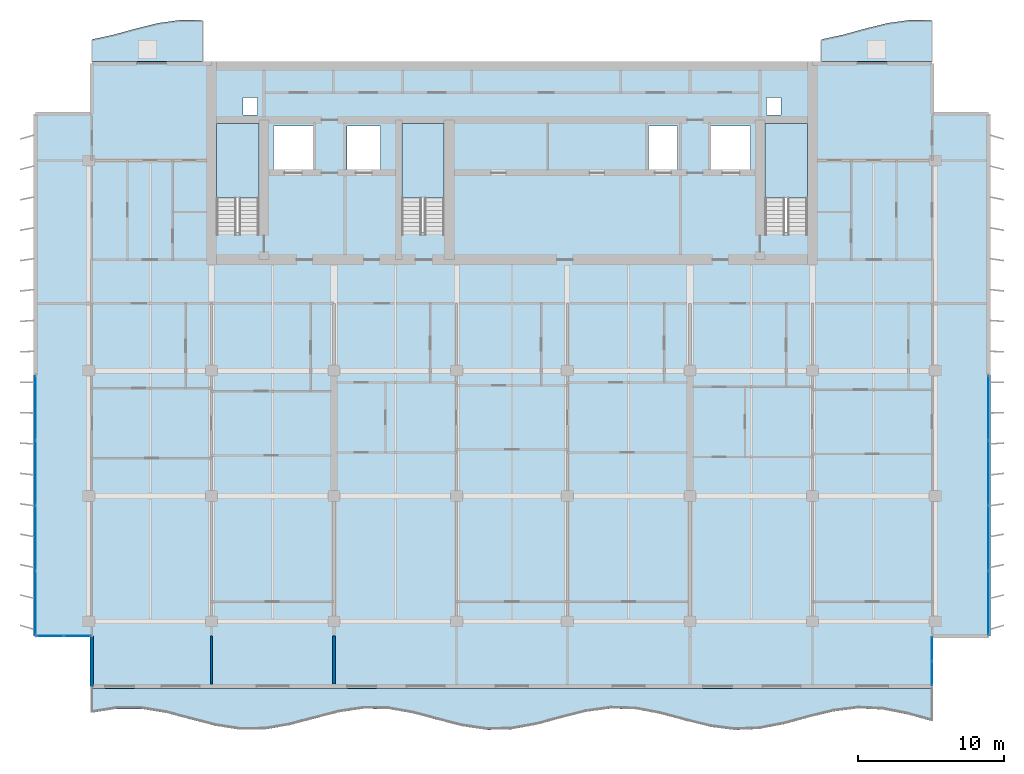
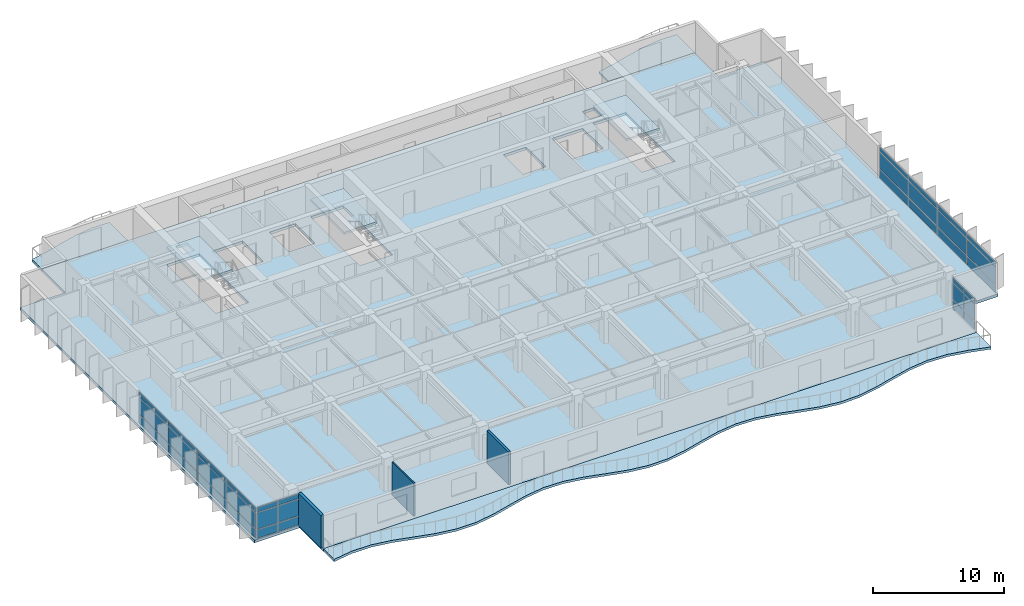
# One storey, part 6 of 16: 36 plates, 7 slabs, 3 walls, 7 elements without a shape of their own.
"""IFC4 building model written with IfcOpenShell, lengths in metres."""

from ifc_helpers import new_model, si_unit, direction, frame, frame_2d, origin, origin_2d, place, context, subcontext, project, spatial, polyline, rectangle, outline, extrude, material, layer, layer_set, type_object, element, aggregate, save


model = new_model("IFC4")

# Units and contexts
model_context = context("Model", 3, precision=1e-05, world=origin(), true_north=direction((0.0, 1.0)))
body_context = subcontext(model_context, "Body", "Model", "MODEL_VIEW")
ifc_project = project(units=[si_unit("LENGTHUNIT", "METRE"), si_unit("AREAUNIT", "SQUARE_METRE"), si_unit("VOLUMEUNIT", "CUBIC_METRE"), si_unit("PLANEANGLEUNIT", "RADIAN"), si_unit("MASSUNIT", "GRAM", prefix="KILO")], contexts=[model_context])

# Site, building, storey
site_placement = place(None, origin())
site = spatial("IfcSite", under=ifc_project, at=site_placement, CompositionType="ELEMENT")
building_placement = place(site_placement, origin())
building = spatial("IfcBuilding", under=site, at=building_placement, Name="Caelmar Bay Residences", CompositionType="ELEMENT")
storey_placement = place(building_placement, frame((0.0, 0.0, 211.5)))
storey = spatial("IfcBuildingStorey", under=building, at=storey_placement, Name="L59", CompositionType="ELEMENT", Elevation=211.5)

# Curtain wall, plates
ifc_material_1 = material(Name="Anodised bronze aluminium 6063-T6 and laminated glass", Category="aluminium")
ifc_layer_1 = layer(ifc_material_1, 0.179931640625)
ifc_layer_set_1 = layer_set([ifc_layer_1], Name="Anodised bronze aluminium 6063-T6 and laminated glass")
curtain_wall_type_1 = type_object("IfcCurtainWallType", Name="CW6-NTC", PredefinedType="NOTDEFINED", material=ifc_layer_set_1)
curtain_wall_1_placement = place(storey_placement, origin())
curtain_wall_1 = element("IfcCurtainWall", 1, at=curtain_wall_1_placement, inside=storey, type_object=curtain_wall_type_1, Name="CW6 curtain wall L59", PredefinedType="NOTDEFINED")
ifc_material_2 = material(Name="Bronze-tinted laminated low-E hurricane glass 28 mm", Category="glass")
ifc_layer_2 = layer(ifc_material_2, 0.028076171875)
ifc_layer_set_2 = layer_set([ifc_layer_2], Name="Bronze-tinted laminated low-E hurricane glass 28 mm")
plate_type = type_object("IfcPlateType", Name="CWP-GLZ28", PredefinedType="CURTAIN_PANEL", material=ifc_layer_set_2)
plate_1_placement = place(storey_placement, frame((7.232421875, 11.199951171875, 0.080078125), z_axis=(0.0, 0.0, 1.0), x_axis=(1.0, 0.0, 0.0)))
plate_1 = element("IfcPlate", 2, at=plate_1_placement, type_object=plate_type, Name="CW6 panel 1.1", PredefinedType="CURTAIN_PANEL", context=body_context, shape_type="SweptSolid", body=[
    extrude(rectangle(XDim=1.804931640625, YDim=0.028076171875, at=origin_2d()), origin(), (0.0, 0.0, 1.0), 0.780029296875),
])
plate_2_placement = place(storey_placement, frame((7.232421875, 11.199951171875, 0.93994140625), z_axis=(0.0, 0.0, 1.0), x_axis=(1.0, 0.0, 0.0)))
plate_2 = element("IfcPlate", 3, at=plate_2_placement, type_object=plate_type, Name="CW6 panel 1.2", PredefinedType="CURTAIN_PANEL", context=body_context, shape_type="SweptSolid", body=[
    extrude(rectangle(XDim=1.804931640625, YDim=0.028076171875, at=origin_2d()), origin(), (0.0, 0.0, 1.0), 1.52001953125),
])
plate_3_placement = place(storey_placement, frame((7.232421875, 11.199951171875, 2.5400390625), z_axis=(0.0, 0.0, 1.0), x_axis=(1.0, 0.0, 0.0)))
plate_3 = element("IfcPlate", 4, at=plate_3_placement, type_object=plate_type, Name="CW6 panel 1.3", PredefinedType="CURTAIN_PANEL", context=body_context, shape_type="SweptSolid", body=[
    extrude(rectangle(XDim=1.804931640625, YDim=0.028076171875, at=origin_2d()), origin(), (0.0, 0.0, 1.0), 0.429931640625),
])
plate_4_placement = place(storey_placement, frame((9.117431640625, 11.199951171875, 0.080078125), z_axis=(0.0, 0.0, 1.0), x_axis=(1.0, 0.0, 0.0)))
plate_4 = element("IfcPlate", 5, at=plate_4_placement, type_object=plate_type, Name="CW6 panel 2.1", PredefinedType="CURTAIN_PANEL", context=body_context, shape_type="SweptSolid", body=[
    extrude(rectangle(XDim=1.804931640625, YDim=0.028076171875, at=origin_2d()), origin(), (0.0, 0.0, 1.0), 0.780029296875),
])
plate_5_placement = place(storey_placement, frame((9.117431640625, 11.199951171875, 0.93994140625), z_axis=(0.0, 0.0, 1.0), x_axis=(1.0, 0.0, 0.0)))
plate_5 = element("IfcPlate", 6, at=plate_5_placement, type_object=plate_type, Name="CW6 panel 2.2", PredefinedType="CURTAIN_PANEL", context=body_context, shape_type="SweptSolid", body=[
    extrude(rectangle(XDim=1.804931640625, YDim=0.028076171875, at=origin_2d()), origin(), (0.0, 0.0, 1.0), 1.52001953125),
])
plate_6_placement = place(storey_placement, frame((9.117431640625, 11.199951171875, 2.5400390625), z_axis=(0.0, 0.0, 1.0), x_axis=(1.0, 0.0, 0.0)))
plate_6 = element("IfcPlate", 7, at=plate_6_placement, type_object=plate_type, Name="CW6 panel 2.3", PredefinedType="CURTAIN_PANEL", context=body_context, shape_type="SweptSolid", body=[
    extrude(rectangle(XDim=1.804931640625, YDim=0.028076171875, at=origin_2d()), origin(), (0.0, 0.0, 1.0), 0.429931640625),
])
aggregate(curtain_wall_1, [plate_1, plate_2, plate_3, plate_4, plate_5, plate_6])

curtain_wall_2_placement = place(storey_placement, origin())
curtain_wall_2 = element("IfcCurtainWall", 8, at=curtain_wall_2_placement, inside=storey, type_object=curtain_wall_type_1, Name="CW6 curtain wall L59", PredefinedType="NOTDEFINED")
plate_7_placement = place(storey_placement, frame((67.699951171875, 8.632568359375, 0.080078125), z_axis=(0.0, 0.0, 1.0), x_axis=(0.0, 1.0, 0.0)))
plate_7 = element("IfcPlate", 9, at=plate_7_placement, type_object=plate_type, Name="CW6 panel 1.1", PredefinedType="CURTAIN_PANEL", context=body_context, shape_type="SweptSolid", body=[
    extrude(rectangle(XDim=1.60498046875, YDim=0.028076171875, at=origin_2d()), origin(), (0.0, 0.0, 1.0), 0.780029296875),
])
plate_8_placement = place(storey_placement, frame((67.699951171875, 8.632568359375, 0.93994140625), z_axis=(0.0, 0.0, 1.0), x_axis=(0.0, 1.0, 0.0)))
plate_8 = element("IfcPlate", 10, at=plate_8_placement, type_object=plate_type, Name="CW6 panel 1.2", PredefinedType="CURTAIN_PANEL", context=body_context, shape_type="SweptSolid", body=[
    extrude(rectangle(XDim=1.60498046875, YDim=0.028076171875, at=origin_2d()), origin(), (0.0, 0.0, 1.0), 1.52001953125),
])
plate_9_placement = place(storey_placement, frame((67.699951171875, 8.632568359375, 2.5400390625), z_axis=(0.0, 0.0, 1.0), x_axis=(0.0, 1.0, 0.0)))
plate_9 = element("IfcPlate", 11, at=plate_9_placement, type_object=plate_type, Name="CW6 panel 1.3", PredefinedType="CURTAIN_PANEL", context=body_context, shape_type="SweptSolid", body=[
    extrude(rectangle(XDim=1.60498046875, YDim=0.028076171875, at=origin_2d()), origin(), (0.0, 0.0, 1.0), 0.429931640625),
])
plate_10_placement = place(storey_placement, frame((67.699951171875, 10.3173828125, 0.080078125), z_axis=(0.0, 0.0, 1.0), x_axis=(0.0, 1.0, 0.0)))
plate_10 = element("IfcPlate", 12, at=plate_10_placement, type_object=plate_type, Name="CW6 panel 2.1", PredefinedType="CURTAIN_PANEL", context=body_context, shape_type="SweptSolid", body=[
    extrude(rectangle(XDim=1.60498046875, YDim=0.028076171875, at=origin_2d()), origin(), (0.0, 0.0, 1.0), 0.780029296875),
])
plate_11_placement = place(storey_placement, frame((67.699951171875, 10.3173828125, 0.93994140625), z_axis=(0.0, 0.0, 1.0), x_axis=(0.0, 1.0, 0.0)))
plate_11 = element("IfcPlate", 13, at=plate_11_placement, type_object=plate_type, Name="CW6 panel 2.2", PredefinedType="CURTAIN_PANEL", context=body_context, shape_type="SweptSolid", body=[
    extrude(rectangle(XDim=1.60498046875, YDim=0.028076171875, at=origin_2d()), origin(), (0.0, 0.0, 1.0), 1.52001953125),
])
plate_12_placement = place(storey_placement, frame((67.699951171875, 10.3173828125, 2.5400390625), z_axis=(0.0, 0.0, 1.0), x_axis=(0.0, 1.0, 0.0)))
plate_12 = element("IfcPlate", 14, at=plate_12_placement, type_object=plate_type, Name="CW6 panel 2.3", PredefinedType="CURTAIN_PANEL", context=body_context, shape_type="SweptSolid", body=[
    extrude(rectangle(XDim=1.60498046875, YDim=0.028076171875, at=origin_2d()), origin(), (0.0, 0.0, 1.0), 0.429931640625),
])
aggregate(curtain_wall_2, [plate_7, plate_8, plate_9, plate_10, plate_11, plate_12])

ifc_layer_3 = layer(ifc_material_1, 0.179931640625)
ifc_layer_set_3 = layer_set([ifc_layer_3], Name="Anodised bronze aluminium 6063-T6 and laminated glass")
curtain_wall_type_2 = type_object("IfcCurtainWallType", Name="CW4-Z3", PredefinedType="NOTDEFINED", material=ifc_layer_set_3)
curtain_wall_3_placement = place(storey_placement, origin())
curtain_wall_3 = element("IfcCurtainWall", 15, at=curtain_wall_3_placement, inside=storey, type_object=curtain_wall_type_2, Name="CW4 curtain wall L59", PredefinedType="NOTDEFINED")
plate_13_placement = place(storey_placement, frame((6.25, 13.45751953125, 0.080078125), z_axis=(0.0, 0.0, 1.0), x_axis=(0.0, 1.0, 0.0)))
plate_13 = element("IfcPlate", 16, at=plate_13_placement, type_object=plate_type, Name="CW4 panel 1.1", PredefinedType="CURTAIN_PANEL", context=body_context, shape_type="SweptSolid", body=[
    extrude(rectangle(XDim=4.35498046875, YDim=0.028076171875, at=origin_2d()), origin(), (0.0, 0.0, 1.0), 0.780029296875),
])
plate_14_placement = place(storey_placement, frame((6.25, 13.45751953125, 0.93994140625), z_axis=(0.0, 0.0, 1.0), x_axis=(0.0, 1.0, 0.0)))
plate_14 = element("IfcPlate", 17, at=plate_14_placement, type_object=plate_type, Name="CW4 panel 1.2", PredefinedType="CURTAIN_PANEL", context=body_context, shape_type="SweptSolid", body=[
    extrude(rectangle(XDim=4.35498046875, YDim=0.028076171875, at=origin_2d()), origin(), (0.0, 0.0, 1.0), 1.52001953125),
])
plate_15_placement = place(storey_placement, frame((6.25, 13.45751953125, 2.5400390625), z_axis=(0.0, 0.0, 1.0), x_axis=(0.0, 1.0, 0.0)))
plate_15 = element("IfcPlate", 18, at=plate_15_placement, type_object=plate_type, Name="CW4 panel 1.3", PredefinedType="CURTAIN_PANEL", context=body_context, shape_type="SweptSolid", body=[
    extrude(rectangle(XDim=4.35498046875, YDim=0.028076171875, at=origin_2d()), origin(), (0.0, 0.0, 1.0), 0.429931640625),
])
plate_16_placement = place(storey_placement, frame((6.25, 17.91259765625, 0.080078125), z_axis=(0.0, 0.0, 1.0), x_axis=(0.0, 1.0, 0.0)))
plate_16 = element("IfcPlate", 19, at=plate_16_placement, type_object=plate_type, Name="CW4 panel 2.1", PredefinedType="CURTAIN_PANEL", context=body_context, shape_type="SweptSolid", body=[
    extrude(rectangle(XDim=4.39501953125, YDim=0.028076171875, at=origin_2d()), origin(), (0.0, 0.0, 1.0), 0.780029296875),
])
plate_17_placement = place(storey_placement, frame((6.25, 17.91259765625, 0.93994140625), z_axis=(0.0, 0.0, 1.0), x_axis=(0.0, 1.0, 0.0)))
plate_17 = element("IfcPlate", 20, at=plate_17_placement, type_object=plate_type, Name="CW4 panel 2.2", PredefinedType="CURTAIN_PANEL", context=body_context, shape_type="SweptSolid", body=[
    extrude(rectangle(XDim=4.39501953125, YDim=0.028076171875, at=origin_2d()), origin(), (0.0, 0.0, 1.0), 1.52001953125),
])
plate_18_placement = place(storey_placement, frame((6.25, 17.91259765625, 2.5400390625), z_axis=(0.0, 0.0, 1.0), x_axis=(0.0, 1.0, 0.0)))
plate_18 = element("IfcPlate", 21, at=plate_18_placement, type_object=plate_type, Name="CW4 panel 2.3", PredefinedType="CURTAIN_PANEL", context=body_context, shape_type="SweptSolid", body=[
    extrude(rectangle(XDim=4.39501953125, YDim=0.028076171875, at=origin_2d()), origin(), (0.0, 0.0, 1.0), 0.429931640625),
])
plate_19_placement = place(storey_placement, frame((6.25, 22.387451171875, 0.080078125), z_axis=(0.0, 0.0, 1.0), x_axis=(0.0, 1.0, 0.0)))
plate_19 = element("IfcPlate", 22, at=plate_19_placement, type_object=plate_type, Name="CW4 panel 3.1", PredefinedType="CURTAIN_PANEL", context=body_context, shape_type="SweptSolid", body=[
    extrude(rectangle(XDim=4.39501953125, YDim=0.028076171875, at=origin_2d()), origin(), (0.0, 0.0, 1.0), 0.780029296875),
])
plate_20_placement = place(storey_placement, frame((6.25, 22.387451171875, 0.93994140625), z_axis=(0.0, 0.0, 1.0), x_axis=(0.0, 1.0, 0.0)))
plate_20 = element("IfcPlate", 23, at=plate_20_placement, type_object=plate_type, Name="CW4 panel 3.2", PredefinedType="CURTAIN_PANEL", context=body_context, shape_type="SweptSolid", body=[
    extrude(rectangle(XDim=4.39501953125, YDim=0.028076171875, at=origin_2d()), origin(), (0.0, 0.0, 1.0), 1.52001953125),
])
plate_21_placement = place(storey_placement, frame((6.25, 22.387451171875, 2.5400390625), z_axis=(0.0, 0.0, 1.0), x_axis=(0.0, 1.0, 0.0)))
plate_21 = element("IfcPlate", 24, at=plate_21_placement, type_object=plate_type, Name="CW4 panel 3.3", PredefinedType="CURTAIN_PANEL", context=body_context, shape_type="SweptSolid", body=[
    extrude(rectangle(XDim=4.39501953125, YDim=0.028076171875, at=origin_2d()), origin(), (0.0, 0.0, 1.0), 0.429931640625),
])
plate_22_placement = place(storey_placement, frame((6.25, 26.842529296875, 0.080078125), z_axis=(0.0, 0.0, 1.0), x_axis=(0.0, 1.0, 0.0)))
plate_22 = element("IfcPlate", 25, at=plate_22_placement, type_object=plate_type, Name="CW4 panel 4.1", PredefinedType="CURTAIN_PANEL", context=body_context, shape_type="SweptSolid", body=[
    extrude(rectangle(XDim=4.35498046875, YDim=0.028076171875, at=origin_2d()), origin(), (0.0, 0.0, 1.0), 0.780029296875),
])
plate_23_placement = place(storey_placement, frame((6.25, 26.842529296875, 0.93994140625), z_axis=(0.0, 0.0, 1.0), x_axis=(0.0, 1.0, 0.0)))
plate_23 = element("IfcPlate", 26, at=plate_23_placement, type_object=plate_type, Name="CW4 panel 4.2", PredefinedType="CURTAIN_PANEL", context=body_context, shape_type="SweptSolid", body=[
    extrude(rectangle(XDim=4.35498046875, YDim=0.028076171875, at=origin_2d()), origin(), (0.0, 0.0, 1.0), 1.52001953125),
])
plate_24_placement = place(storey_placement, frame((6.25, 26.842529296875, 2.5400390625), z_axis=(0.0, 0.0, 1.0), x_axis=(0.0, 1.0, 0.0)))
plate_24 = element("IfcPlate", 27, at=plate_24_placement, type_object=plate_type, Name="CW4 panel 4.3", PredefinedType="CURTAIN_PANEL", context=body_context, shape_type="SweptSolid", body=[
    extrude(rectangle(XDim=4.35498046875, YDim=0.028076171875, at=origin_2d()), origin(), (0.0, 0.0, 1.0), 0.429931640625),
])
aggregate(curtain_wall_3, [plate_13, plate_14, plate_15, plate_16, plate_17, plate_18, plate_19, plate_20, plate_21, plate_22, plate_23, plate_24])

curtain_wall_4_placement = place(storey_placement, origin())
curtain_wall_4 = element("IfcCurtainWall", 28, at=curtain_wall_4_placement, inside=storey, type_object=curtain_wall_type_2, Name="CW4 curtain wall L59", PredefinedType="NOTDEFINED")
plate_25_placement = place(storey_placement, frame((71.550048828125, 26.842529296875, 0.080078125), z_axis=(0.0, 0.0, 1.0), x_axis=(0.0, -1.0, 0.0)))
plate_25 = element("IfcPlate", 29, at=plate_25_placement, type_object=plate_type, Name="CW4 panel 1.1", PredefinedType="CURTAIN_PANEL", context=body_context, shape_type="SweptSolid", body=[
    extrude(rectangle(XDim=4.35498046875, YDim=0.028076171875, at=origin_2d()), origin(), (0.0, 0.0, 1.0), 0.780029296875),
])
plate_26_placement = place(storey_placement, frame((71.550048828125, 26.842529296875, 0.93994140625), z_axis=(0.0, 0.0, 1.0), x_axis=(0.0, -1.0, 0.0)))
plate_26 = element("IfcPlate", 30, at=plate_26_placement, type_object=plate_type, Name="CW4 panel 1.2", PredefinedType="CURTAIN_PANEL", context=body_context, shape_type="SweptSolid", body=[
    extrude(rectangle(XDim=4.35498046875, YDim=0.028076171875, at=origin_2d()), origin(), (0.0, 0.0, 1.0), 1.52001953125),
])
plate_27_placement = place(storey_placement, frame((71.550048828125, 26.842529296875, 2.5400390625), z_axis=(0.0, 0.0, 1.0), x_axis=(0.0, -1.0, 0.0)))
plate_27 = element("IfcPlate", 31, at=plate_27_placement, type_object=plate_type, Name="CW4 panel 1.3", PredefinedType="CURTAIN_PANEL", context=body_context, shape_type="SweptSolid", body=[
    extrude(rectangle(XDim=4.35498046875, YDim=0.028076171875, at=origin_2d()), origin(), (0.0, 0.0, 1.0), 0.429931640625),
])
plate_28_placement = place(storey_placement, frame((71.550048828125, 22.387451171875, 0.080078125), z_axis=(0.0, 0.0, 1.0), x_axis=(0.0, -1.0, 0.0)))
plate_28 = element("IfcPlate", 32, at=plate_28_placement, type_object=plate_type, Name="CW4 panel 2.1", PredefinedType="CURTAIN_PANEL", context=body_context, shape_type="SweptSolid", body=[
    extrude(rectangle(XDim=4.39501953125, YDim=0.028076171875, at=origin_2d()), origin(), (0.0, 0.0, 1.0), 0.780029296875),
])
plate_29_placement = place(storey_placement, frame((71.550048828125, 22.387451171875, 0.93994140625), z_axis=(0.0, 0.0, 1.0), x_axis=(0.0, -1.0, 0.0)))
plate_29 = element("IfcPlate", 33, at=plate_29_placement, type_object=plate_type, Name="CW4 panel 2.2", PredefinedType="CURTAIN_PANEL", context=body_context, shape_type="SweptSolid", body=[
    extrude(rectangle(XDim=4.39501953125, YDim=0.028076171875, at=origin_2d()), origin(), (0.0, 0.0, 1.0), 1.52001953125),
])
plate_30_placement = place(storey_placement, frame((71.550048828125, 22.387451171875, 2.5400390625), z_axis=(0.0, 0.0, 1.0), x_axis=(0.0, -1.0, 0.0)))
plate_30 = element("IfcPlate", 34, at=plate_30_placement, type_object=plate_type, Name="CW4 panel 2.3", PredefinedType="CURTAIN_PANEL", context=body_context, shape_type="SweptSolid", body=[
    extrude(rectangle(XDim=4.39501953125, YDim=0.028076171875, at=origin_2d()), origin(), (0.0, 0.0, 1.0), 0.429931640625),
])
plate_31_placement = place(storey_placement, frame((71.550048828125, 17.91259765625, 0.080078125), z_axis=(0.0, 0.0, 1.0), x_axis=(0.0, -1.0, 0.0)))
plate_31 = element("IfcPlate", 35, at=plate_31_placement, type_object=plate_type, Name="CW4 panel 3.1", PredefinedType="CURTAIN_PANEL", context=body_context, shape_type="SweptSolid", body=[
    extrude(rectangle(XDim=4.39501953125, YDim=0.028076171875, at=origin_2d()), origin(), (0.0, 0.0, 1.0), 0.780029296875),
])
plate_32_placement = place(storey_placement, frame((71.550048828125, 17.91259765625, 0.93994140625), z_axis=(0.0, 0.0, 1.0), x_axis=(0.0, -1.0, 0.0)))
plate_32 = element("IfcPlate", 36, at=plate_32_placement, type_object=plate_type, Name="CW4 panel 3.2", PredefinedType="CURTAIN_PANEL", context=body_context, shape_type="SweptSolid", body=[
    extrude(rectangle(XDim=4.39501953125, YDim=0.028076171875, at=origin_2d()), origin(), (0.0, 0.0, 1.0), 1.52001953125),
])
plate_33_placement = place(storey_placement, frame((71.550048828125, 17.91259765625, 2.5400390625), z_axis=(0.0, 0.0, 1.0), x_axis=(0.0, -1.0, 0.0)))
plate_33 = element("IfcPlate", 37, at=plate_33_placement, type_object=plate_type, Name="CW4 panel 3.3", PredefinedType="CURTAIN_PANEL", context=body_context, shape_type="SweptSolid", body=[
    extrude(rectangle(XDim=4.39501953125, YDim=0.028076171875, at=origin_2d()), origin(), (0.0, 0.0, 1.0), 0.429931640625),
])
plate_34_placement = place(storey_placement, frame((71.550048828125, 13.45751953125, 0.080078125), z_axis=(0.0, 0.0, 1.0), x_axis=(0.0, -1.0, 0.0)))
plate_34 = element("IfcPlate", 38, at=plate_34_placement, type_object=plate_type, Name="CW4 panel 4.1", PredefinedType="CURTAIN_PANEL", context=body_context, shape_type="SweptSolid", body=[
    extrude(rectangle(XDim=4.35498046875, YDim=0.028076171875, at=origin_2d()), origin(), (0.0, 0.0, 1.0), 0.780029296875),
])
plate_35_placement = place(storey_placement, frame((71.550048828125, 13.45751953125, 0.93994140625), z_axis=(0.0, 0.0, 1.0), x_axis=(0.0, -1.0, 0.0)))
plate_35 = element("IfcPlate", 39, at=plate_35_placement, type_object=plate_type, Name="CW4 panel 4.2", PredefinedType="CURTAIN_PANEL", context=body_context, shape_type="SweptSolid", body=[
    extrude(rectangle(XDim=4.35498046875, YDim=0.028076171875, at=origin_2d()), origin(), (0.0, 0.0, 1.0), 1.52001953125),
])
plate_36_placement = place(storey_placement, frame((71.550048828125, 13.45751953125, 2.5400390625), z_axis=(0.0, 0.0, 1.0), x_axis=(0.0, -1.0, 0.0)))
plate_36 = element("IfcPlate", 40, at=plate_36_placement, type_object=plate_type, Name="CW4 panel 4.3", PredefinedType="CURTAIN_PANEL", context=body_context, shape_type="SweptSolid", body=[
    extrude(rectangle(XDim=4.35498046875, YDim=0.028076171875, at=origin_2d()), origin(), (0.0, 0.0, 1.0), 0.429931640625),
])
aggregate(curtain_wall_4, [plate_25, plate_26, plate_27, plate_28, plate_29, plate_30, plate_31, plate_32, plate_33, plate_34, plate_35, plate_36])

# Slabs
ifc_material_3 = material(Name="Concrete f'c 40 MPa (6,000 psi)", Category="concrete")
ifc_layer_4 = layer(ifc_material_3, 0.219970703125)
ifc_layer_set_4 = layer_set([ifc_layer_4], Name="Concrete f'c 40 MPa (6,000 psi)")
slab_type_1 = type_object("IfcSlabType", Name="SLB-BAL-220", PredefinedType="FLOOR", material=ifc_layer_set_4)
slab_1_placement = place(storey_placement, frame((0.0, 0.0, -0.219970703125)))
element("IfcSlab", 41, at=slab_1_placement, inside=storey, type_object=slab_type_1, Name="L59 Sinusoidal Tree-Balcony Slab south", PredefinedType="FLOOR", context=body_context, shape_type="SweptSolid", body=[
    extrude(outline(polyline([(10.10009765625, 5.94091796875), (11.794189453125, 6.214599609375), (13.48828125, 6.210693359375), (15.182373046875, 5.93115234375), (16.87646484375, 5.484130859375), (18.570556640625, 5.043212890625), (20.2646484375, 4.77978515625), (21.958740234375, 4.7958984375), (23.65283203125, 5.085205078125), (25.34716796875, 5.53564453125), (27.041259765625, 5.972412109375), (28.7353515625, 6.2255859375), (30.429443359375, 6.197265625), (32.12353515625, 5.898193359375), (33.817626953125, 5.444580078125), (35.51171875, 5.012451171875), (37.205810546875, 4.769775390625), (38.89990234375, 4.810302734375), (40.593994140625, 5.11865234375), (42.2880859375, 5.5751953125), (43.982421875, 6.002197265625), (45.676513671875, 6.234619140625), (47.37060546875, 6.181640625), (49.064697265625, 5.864013671875), (50.7587890625, 5.4052734375), (52.452880859375, 4.983154296875), (54.147216796875, 4.76171875), (55.84130859375, 4.826904296875), (57.535400390625, 5.1533203125), (59.2294921875, 5.614501953125), (60.923583984375, 6.031005859375), (62.61767578125, 6.241455078125), (64.311767578125, 6.164306640625), (66.005859375, 5.8291015625), (67.699951171875, 5.3662109375), (67.699951171875, 7.60009765625), (10.10009765625, 7.60009765625), (10.10009765625, 5.94091796875)])), origin(), (0.0, 0.0, 1.0), 0.219970703125),
])
slab_2_placement = place(storey_placement, frame((0.0, 0.0, -0.219970703125)))
element("IfcSlab", 42, at=slab_2_placement, inside=storey, type_object=slab_type_1, Name="L59 Sinusoidal Tree-Balcony Slab north_west", PredefinedType="FLOOR", context=body_context, shape_type="SweptSolid", body=[
    extrude(outline(polyline([(10.10009765625, 50.60009765625), (17.699951171875, 50.60009765625), (17.699951171875, 53.40966796875), (16.179931640625, 53.4287109375), (14.659912109375, 53.21826171875), (13.139892578125, 52.844970703125), (11.6201171875, 52.426025390625), (10.10009765625, 52.09326171875), (10.10009765625, 50.60009765625)])), origin(), (0.0, 0.0, 1.0), 0.219970703125),
])
slab_3_placement = place(storey_placement, frame((0.0, 0.0, -0.219970703125)))
element("IfcSlab", 43, at=slab_3_placement, inside=storey, type_object=slab_type_1, Name="L59 Sinusoidal Tree-Balcony Slab north_east", PredefinedType="FLOOR", context=body_context, shape_type="SweptSolid", body=[
    extrude(outline(polyline([(60.10009765625, 50.60009765625), (67.699951171875, 50.60009765625), (67.699951171875, 53.40966796875), (66.179931640625, 53.4287109375), (64.659912109375, 53.21826171875), (63.139892578125, 52.844970703125), (61.6201171875, 52.426025390625), (60.10009765625, 52.09326171875), (60.10009765625, 50.60009765625)])), origin(), (0.0, 0.0, 1.0), 0.219970703125),
])

# Stair, slab
stair_type = type_object("IfcStairType", Name="ST-TYP-165", PredefinedType="HALF_TURN_STAIR", material=ifc_material_3)
stair_1_placement = place(storey_placement, origin())
stair_1 = element("IfcStair", 44, at=stair_1_placement, inside=storey, type_object=stair_type, Name="L59 West Smokeproof Exit Stair ST1", PredefinedType="HALF_TURN_STAIR")
ifc_layer_5 = layer(ifc_material_3, 0.199951171875)
ifc_layer_set_5 = layer_set([ifc_layer_5], Name="Concrete f'c 40 MPa (6,000 psi)")
slab_type_2 = type_object("IfcSlabType", Name="SLB-LND-200", PredefinedType="LANDING", material=ifc_layer_set_5)
slab_4_placement = place(storey_placement, frame((0.0, 0.0, 1.449951171875)))
slab_4 = element("IfcSlab", 45, at=slab_4_placement, type_object=slab_type_2, Name="ST1 landing 1", PredefinedType="LANDING", context=body_context, shape_type="SweptSolid", body=[
    extrude(outline(polyline([(21.550048828125, 41.219970703125), (21.550048828125, 46.35009765625), (18.64990234375, 46.35009765625), (18.64990234375, 41.219970703125), (21.550048828125, 41.219970703125)])), origin(), (0.0, 0.0, 1.0), 0.199951171875),
])
aggregate(stair_1, [slab_4])

stair_2_placement = place(storey_placement, origin())
stair_2 = element("IfcStair", 46, at=stair_2_placement, inside=storey, type_object=stair_type, Name="L59 East Smokeproof Exit Stair ST2", PredefinedType="HALF_TURN_STAIR")
slab_5_placement = place(storey_placement, frame((0.0, 0.0, 1.449951171875)))
slab_5 = element("IfcSlab", 47, at=slab_5_placement, type_object=slab_type_2, Name="ST2 landing 1", PredefinedType="LANDING", context=body_context, shape_type="SweptSolid", body=[
    extrude(outline(polyline([(59.14990234375, 41.219970703125), (59.14990234375, 46.35009765625), (56.25, 46.35009765625), (56.25, 41.219970703125), (59.14990234375, 41.219970703125)])), origin(), (0.0, 0.0, 1.0), 0.199951171875),
])
aggregate(stair_2, [slab_5])

stair_3_placement = place(storey_placement, origin())
stair_3 = element("IfcStair", 48, at=stair_3_placement, inside=storey, type_object=stair_type, Name="L59 Central Smokeproof Exit Stair ST3", PredefinedType="HALF_TURN_STAIR")
slab_6_placement = place(storey_placement, frame((0.0, 0.0, 1.449951171875)))
slab_6 = element("IfcSlab", 49, at=slab_6_placement, type_object=slab_type_2, Name="ST3 landing 1", PredefinedType="LANDING", context=body_context, shape_type="SweptSolid", body=[
    extrude(outline(polyline([(34.25, 41.219970703125), (34.25, 46.35009765625), (31.35009765625, 46.35009765625), (31.35009765625, 41.219970703125), (34.25, 41.219970703125)])), origin(), (0.0, 0.0, 1.0), 0.199951171875),
])
aggregate(stair_3, [slab_6])

# Slab
ifc_layer_6 = layer(ifc_material_3, 0.25)
ifc_layer_set_6 = layer_set([ifc_layer_6], Name="Concrete f'c 40 MPa (6,000 psi)")
slab_type_3 = type_object("IfcSlabType", Name="SLB-RES-250", PredefinedType="FLOOR", material=ifc_layer_set_6)
slab_7_placement = place(storey_placement, frame((0.0, 0.0, -0.25)))
element("IfcSlab", 50, at=slab_7_placement, inside=storey, type_object=slab_type_3, Name="L59 Structural Floor Slab", PredefinedType="FLOOR", context=body_context, shape_type="SweptSolid", body=[
    extrude(outline(polyline([(10.10009765625, 7.60009765625), (67.699951171875, 7.60009765625), (67.699951171875, 11.199951171875), (71.699951171875, 11.199951171875), (71.699951171875, 47.0), (67.699951171875, 47.0), (67.699951171875, 50.60009765625), (10.10009765625, 50.60009765625), (10.10009765625, 47.0), (6.10009765625, 47.0), (6.10009765625, 11.199951171875), (10.10009765625, 11.199951171875), (10.10009765625, 7.60009765625)]), holes=[polyline([(18.64990234375, 38.85009765625), (21.550048828125, 38.85009765625), (21.550048828125, 46.35009765625), (18.64990234375, 46.35009765625), (18.64990234375, 38.85009765625)]), polyline([(56.25, 38.85009765625), (59.14990234375, 38.85009765625), (59.14990234375, 46.35009765625), (56.25, 46.35009765625), (56.25, 38.85009765625)]), polyline([(31.35009765625, 38.85009765625), (34.25, 38.85009765625), (34.25, 46.35009765625), (31.35009765625, 46.35009765625), (31.35009765625, 38.85009765625)]), polyline([(22.550048828125, 43.050048828125), (25.25, 43.050048828125), (25.25, 46.14990234375), (22.550048828125, 46.14990234375), (22.550048828125, 43.050048828125)]), polyline([(52.550048828125, 43.050048828125), (55.25, 43.050048828125), (55.25, 46.14990234375), (52.550048828125, 46.14990234375), (52.550048828125, 43.050048828125)]), polyline([(48.25, 43.14990234375), (50.25, 43.14990234375), (50.25, 46.14990234375), (48.25, 46.14990234375), (48.25, 43.14990234375)]), polyline([(27.60009765625, 43.14990234375), (29.89990234375, 43.14990234375), (29.89990234375, 46.14990234375), (27.60009765625, 46.14990234375), (27.60009765625, 43.14990234375)]), polyline([(20.449951171875, 46.89990234375), (21.449951171875, 46.89990234375), (21.449951171875, 48.10009765625), (20.449951171875, 48.10009765625), (20.449951171875, 46.89990234375)]), polyline([(56.35009765625, 46.89990234375), (57.35009765625, 46.89990234375), (57.35009765625, 48.10009765625), (56.35009765625, 48.10009765625), (56.35009765625, 46.89990234375)])]), origin(), (0.0, 0.0, 1.0), 0.25),
])

# Walls
ifc_material_4 = material(Name="Precast concrete f'c 40 MPa (6,000 psi)", Category="concrete")
ifc_layer_7 = layer(ifc_material_4, 0.25)
ifc_layer_set_7 = layer_set([ifc_layer_7], Name="Precast concrete f'c 40 MPa (6,000 psi)")
wall_type_1 = type_object("IfcWallType", Name="W-EXT-250", PredefinedType="ELEMENTEDWALL", material=ifc_layer_set_7)
wall_1_placement = place(storey_placement, frame((10.10009765625, 11.199951171875, 0.0), z_axis=(0.0, 0.0, 1.0), x_axis=(0.0, -1.0, 0.0)))
element("IfcWall", 51, at=wall_1_placement, inside=storey, type_object=wall_type_1, Name="L59 SW Notch Return Wall", PredefinedType="ELEMENTEDWALL", context=body_context, shape_type="SweptSolid", body=[
    extrude(rectangle(XDim=3.449951171875, YDim=0.25, at=frame_2d((1.72509765625, 0.0))), origin(), (0.0, 0.0, 1.0), 3.050048828125),
])
ifc_material_5 = material(Name="Acoustic metal-stud gypsum partition 120 mm")
ifc_layer_8 = layer(ifc_material_5, 0.1201171875)
ifc_layer_set_8 = layer_set([ifc_layer_8], Name="Acoustic metal-stud gypsum partition 120 mm")
wall_type_2 = type_object("IfcWallType", Name="W-PRT-120", PredefinedType="PARTITIONING", material=ifc_layer_set_8)
wall_2_placement = place(storey_placement, frame((18.300048828125, 7.89501953125, 0.0), z_axis=(0.0, 0.0, 1.0), x_axis=(0.0, 1.0, 0.0)))
element("IfcWall", 52, at=wall_2_placement, inside=storey, type_object=wall_type_2, Name="L59 Partition Wall V008", PredefinedType="PARTITIONING", context=body_context, shape_type="SweptSolid", body=[
    extrude(rectangle(XDim=3.304931640625, YDim=0.1201171875, at=frame_2d((1.65234375, 0.0))), origin(), (0.0, 0.0, 1.0), 3.050048828125),
])
ifc_material_6 = material(Name="Acoustic twin-stud fire-rated inter-tenancy partition 200 mm")
ifc_layer_9 = layer(ifc_material_6, 0.199951171875)
ifc_layer_set_9 = layer_set([ifc_layer_9], Name="Acoustic twin-stud fire-rated inter-tenancy partition 200 mm")
wall_type_3 = type_object("IfcWallType", Name="W-PTY-200", PredefinedType="PARTITIONING", material=ifc_layer_set_9)
wall_3_placement = place(storey_placement, frame((26.699951171875, 7.89501953125, 0.0), z_axis=(0.0, 0.0, 1.0), x_axis=(0.0, 1.0, 0.0)))
element("IfcWall", 53, at=wall_3_placement, inside=storey, type_object=wall_type_3, Name="L59 Partition Wall V014", PredefinedType="PARTITIONING", context=body_context, shape_type="SweptSolid", body=[
    extrude(rectangle(XDim=3.304931640625, YDim=0.199951171875, at=frame_2d((1.65234375, 0.0))), origin(), (0.0, 0.0, 1.0), 3.050048828125),
])

save(model, "model.ifc")
